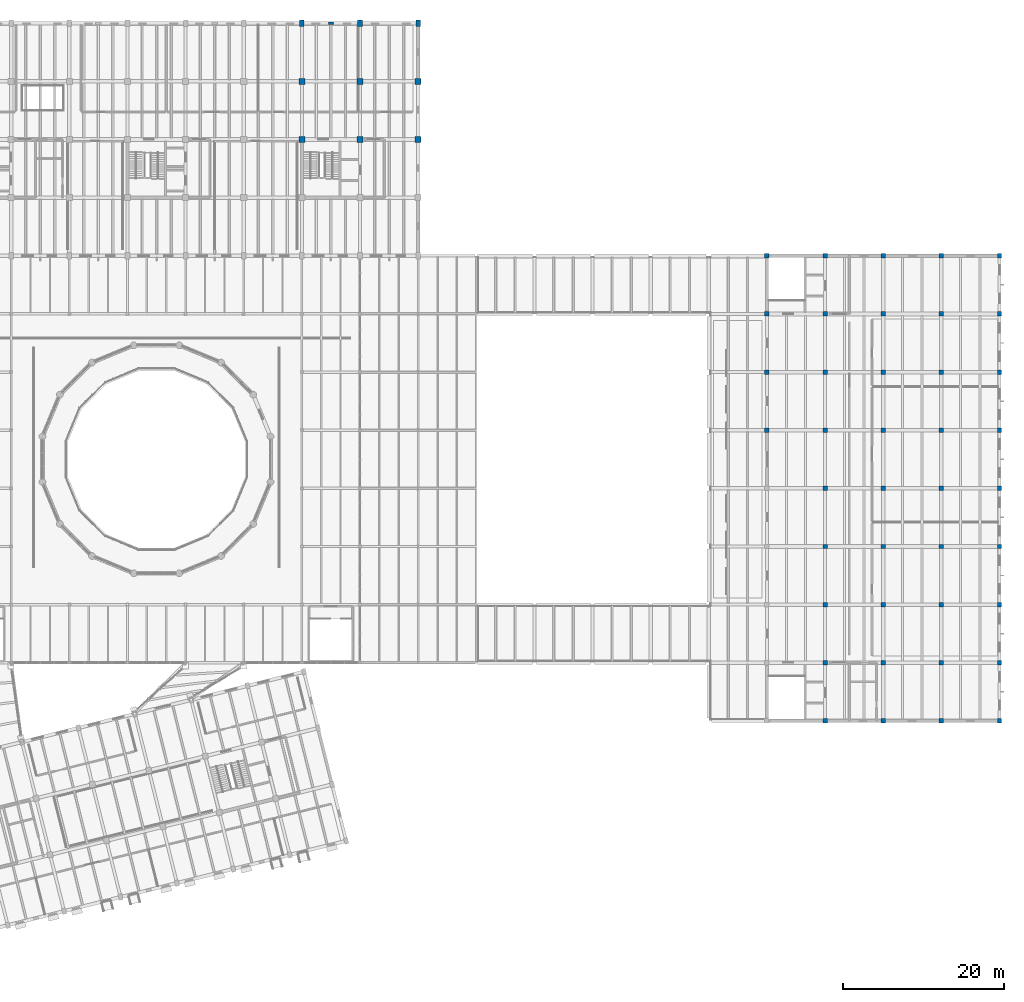
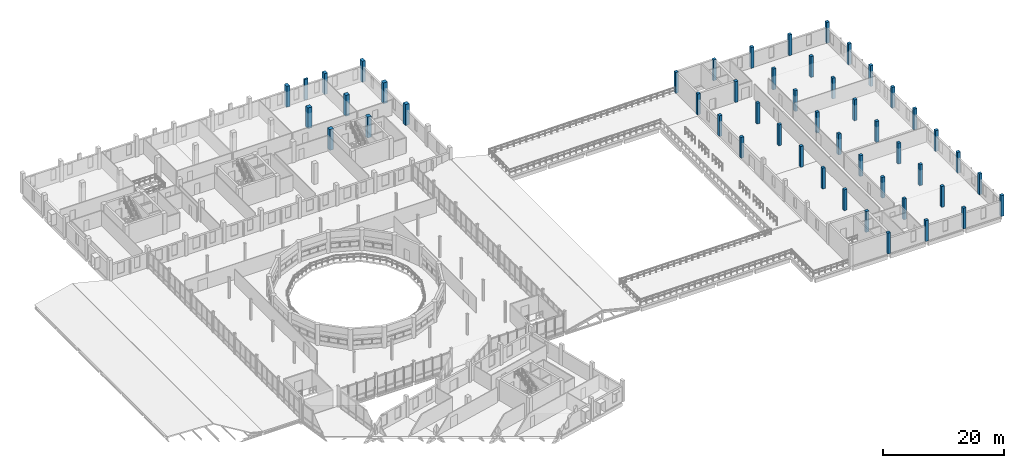
# One storey, part 11 of 63: 50 columns.
"""IFC4 building model written with IfcOpenShell, lengths in metres."""

from ifc_helpers import new_model, si_unit, direction, frame, origin, origin_2d, place, context, subcontext, project, spatial, rectangle, extrude, material, material_profile, profile_set, type_object, element, save


model = new_model("IFC4")

# Units and contexts
model_context = context("Model", 3, precision=1e-05, world=origin(), true_north=direction((0.0, 1.0)))
body_context = subcontext(model_context, "Body", "Model", "MODEL_VIEW")
ifc_project = project(units=[si_unit("LENGTHUNIT", "METRE"), si_unit("AREAUNIT", "SQUARE_METRE"), si_unit("VOLUMEUNIT", "CUBIC_METRE"), si_unit("PLANEANGLEUNIT", "RADIAN"), si_unit("MASSUNIT", "GRAM", prefix="KILO")], contexts=[model_context])

# Site, building, storey
site_placement = place(None, origin())
site = spatial("IfcSite", under=ifc_project, at=site_placement, CompositionType="ELEMENT")
building_placement = place(site_placement, origin())
building = spatial("IfcBuilding", under=site, at=building_placement, Name="Qiaolan Assembly House", CompositionType="ELEMENT")
storey_placement = place(building_placement, frame((0.0, 0.0, 14.39990234375)))
storey = spatial("IfcBuildingStorey", under=building, at=storey_placement, Name="L03", CompositionType="ELEMENT", Elevation=14.39990234375)

# Columns
ifc_material_1 = material(Name="Concrete C40/50", Category="concrete")
ifc_material_profile_1 = material_profile(ifc_material_1, rectangle(XDim=0.550048828125, YDim=0.550048828125, at=origin_2d()), Name="RC 550x550")
ifc_profile_set_1 = profile_set([ifc_material_profile_1], Name="Concrete C40/50")
column_type_1 = type_object("IfcColumnType", Name="COL-RC-550", PredefinedType="COLUMN", material=ifc_profile_set_1)
for number, where, z_axis, x_axis, name in (
    (1, (144.0, 64.800048828125, 0.0), (0.0, 0.0, 1.0), (1.0, 0.0, 0.0), "RC-10 library column L03"),
    (2, (144.0, 72.0, 0.0), (0.0, 0.0, 1.0), (1.0, 0.0, 0.0), "RC-10 library column L03"),
    (3, (144.0, 79.199951171875, 0.0), (0.0, 0.0, 1.0), (1.0, 0.0, 0.0), "RC-10 library column L03"),
    (4, (144.0, 86.39990234375, 0.0), (0.0, 0.0, 1.0), (1.0, 0.0, 0.0), "RC-10 library column L03"),
    (5, (151.199951171875, 28.800048828125, 0.0), (0.0, 0.0, 1.0), (1.0, 0.0, 0.0), "RC-10 library column L03"),
    (6, (151.199951171875, 36.0, 0.0), (0.0, 0.0, 1.0), (1.0, 0.0, 0.0), "RC-10 library column L03"),
    (7, (151.199951171875, 43.199951171875, 0.0), (0.0, 0.0, 1.0), (1.0, 0.0, 0.0), "RC-10 library column L03"),
    (8, (151.199951171875, 50.39990234375, 0.0), (0.0, 0.0, 1.0), (1.0, 0.0, 0.0), "RC-10 library column L03"),
    (9, (151.199951171875, 57.60009765625, 0.0), (0.0, 0.0, 1.0), (1.0, 0.0, 0.0), "RC-10 library column L03"),
    (10, (151.199951171875, 64.800048828125, 0.0), (0.0, 0.0, 1.0), (1.0, 0.0, 0.0), "RC-10 library column L03"),
    (11, (151.199951171875, 72.0, 0.0), (0.0, 0.0, 1.0), (1.0, 0.0, 0.0), "RC-10 library column L03"),
    (12, (151.199951171875, 79.199951171875, 0.0), (0.0, 0.0, 1.0), (1.0, 0.0, 0.0), "RC-10 library column L03"),
    (13, (151.199951171875, 86.39990234375, 0.0), (0.0, 0.0, 1.0), (1.0, 0.0, 0.0), "RC-10 library column L03"),
    (14, (158.39990234375, 28.800048828125, 0.0), (0.0, 0.0, 1.0), (1.0, 0.0, 0.0), "RC-10 library column L03"),
    (15, (158.39990234375, 36.0, 0.0), (0.0, 0.0, 1.0), (1.0, 0.0, 0.0), "RC-10 library column L03"),
    (16, (158.39990234375, 43.199951171875, 0.0), (0.0, 0.0, 1.0), (1.0, 0.0, 0.0), "RC-10 library column L03"),
    (17, (158.39990234375, 50.39990234375, 0.0), (0.0, 0.0, 1.0), (1.0, 0.0, 0.0), "RC-10 library column L03"),
    (18, (158.39990234375, 57.60009765625, 0.0), (0.0, 0.0, 1.0), (1.0, 0.0, 0.0), "RC-10 library column L03"),
    (19, (158.39990234375, 64.800048828125, 0.0), (0.0, 0.0, 1.0), (1.0, 0.0, 0.0), "RC-10 library column L03"),
    (20, (158.39990234375, 72.0, 0.0), (0.0, 0.0, 1.0), (1.0, 0.0, 0.0), "RC-10 library column L03"),
    (21, (158.39990234375, 79.199951171875, 0.0), (0.0, 0.0, 1.0), (1.0, 0.0, 0.0), "RC-10 library column L03"),
    (22, (158.39990234375, 86.39990234375, 0.0), (0.0, 0.0, 1.0), (1.0, 0.0, 0.0), "RC-10 library column L03"),
    (23, (165.60009765625, 28.800048828125, 0.0), (0.0, 0.0, 1.0), (1.0, 0.0, 0.0), "RC-10 library column L03"),
    (24, (165.60009765625, 36.0, 0.0), (0.0, 0.0, 1.0), (1.0, 0.0, 0.0), "RC-10 library column L03"),
    (25, (165.60009765625, 43.199951171875, 0.0), (0.0, 0.0, 1.0), (1.0, 0.0, 0.0), "RC-10 library column L03"),
    (26, (165.60009765625, 50.39990234375, 0.0), (0.0, 0.0, 1.0), (1.0, 0.0, 0.0), "RC-10 library column L03"),
    (27, (165.60009765625, 57.60009765625, 0.0), (0.0, 0.0, 1.0), (1.0, 0.0, 0.0), "RC-10 library column L03"),
    (28, (165.60009765625, 64.800048828125, 0.0), (0.0, 0.0, 1.0), (1.0, 0.0, 0.0), "RC-10 library column L03"),
    (29, (165.60009765625, 72.0, 0.0), (0.0, 0.0, 1.0), (1.0, 0.0, 0.0), "RC-10 library column L03"),
    (30, (165.60009765625, 79.199951171875, 0.0), (0.0, 0.0, 1.0), (1.0, 0.0, 0.0), "RC-10 library column L03"),
    (31, (165.60009765625, 86.39990234375, 0.0), (0.0, 0.0, 1.0), (1.0, 0.0, 0.0), "RC-10 library column L03"),
    (32, (172.800048828125, 28.800048828125, 0.0), (0.0, 0.0, 1.0), (1.0, 0.0, 0.0), "RC-10 library column L03"),
    (33, (172.800048828125, 36.0, 0.0), (0.0, 0.0, 1.0), (1.0, 0.0, 0.0), "RC-10 library column L03"),
    (34, (172.800048828125, 43.199951171875, 0.0), (0.0, 0.0, 1.0), (1.0, 0.0, 0.0), "RC-10 library column L03"),
    (35, (172.800048828125, 50.39990234375, 0.0), (0.0, 0.0, 1.0), (1.0, 0.0, 0.0), "RC-10 library column L03"),
    (36, (172.800048828125, 57.60009765625, 0.0), (0.0, 0.0, 1.0), (1.0, 0.0, 0.0), "RC-10 library column L03"),
    (37, (172.800048828125, 64.800048828125, 0.0), (0.0, 0.0, 1.0), (1.0, 0.0, 0.0), "RC-10 library column L03"),
    (38, (172.800048828125, 72.0, 0.0), (0.0, 0.0, 1.0), (1.0, 0.0, 0.0), "RC-10 library column L03"),
    (39, (172.800048828125, 79.199951171875, 0.0), (0.0, 0.0, 1.0), (1.0, 0.0, 0.0), "RC-10 library column L03"),
    (40, (172.800048828125, 86.39990234375, 0.0), (0.0, 0.0, 1.0), (1.0, 0.0, 0.0), "RC-10 library column L03"),
):
    element("IfcColumn", number, at=place(storey_placement, frame(where, z_axis=z_axis, x_axis=x_axis)), inside=storey, type_object=column_type_1, Name=name, PredefinedType="COLUMN", context=body_context, shape_type="SweptSolid", body=[
        extrude(rectangle(XDim=0.550048828125, YDim=0.550048828125, at=origin_2d()), origin(), (0.0, 0.0, 1.0), 4.2001953125),
    ])
ifc_material_2 = material(Name="Concrete C45/55", Category="concrete")
ifc_material_profile_2 = material_profile(ifc_material_2, rectangle(XDim=0.75, YDim=0.75, at=origin_2d()), Name="RC 750x750")
ifc_profile_set_2 = profile_set([ifc_material_profile_2], Name="Concrete C45/55")
column_type_2 = type_object("IfcColumnType", Name="COL-RC-750", PredefinedType="COLUMN", material=ifc_profile_set_2)
for number, where, z_axis, x_axis, name in (
    (41, (86.39990234375, 100.800048828125, 0.0), (0.0, 0.0, 1.0), (1.0, 0.0, 0.0), "RC-06 column NW L03"),
    (42, (86.39990234375, 108.0, 0.0), (0.0, 0.0, 1.0), (1.0, 0.0, 0.0), "RC-06 column NW L03"),
    (43, (93.60009765625, 100.800048828125, 0.0), (0.0, 0.0, 1.0), (1.0, 0.0, 0.0), "RC-06 column NW L03"),
    (44, (93.60009765625, 108.0, 0.0), (0.0, 0.0, 1.0), (1.0, 0.0, 0.0), "RC-06 column NW L03"),
    (45, (100.800048828125, 100.800048828125, 0.0), (0.0, 0.0, 1.0), (1.0, 0.0, 0.0), "RC-06 column NW L03"),
    (46, (100.800048828125, 108.0, 0.0), (0.0, 0.0, 1.0), (1.0, 0.0, 0.0), "RC-06 column NW L03"),
):
    element("IfcColumn", number, at=place(storey_placement, frame(where, z_axis=z_axis, x_axis=x_axis)), inside=storey, type_object=column_type_2, Name=name, PredefinedType="COLUMN", context=body_context, shape_type="SweptSolid", body=[
        extrude(rectangle(XDim=0.75, YDim=0.75, at=origin_2d()), origin(), (0.0, 0.0, 1.0), 4.2001953125),
    ])
ifc_material_profile_3 = material_profile(ifc_material_2, rectangle(XDim=0.580078125, YDim=0.81005859375, at=origin_2d()), Name="RC 810x580")
ifc_profile_set_3 = profile_set([ifc_material_profile_3], Name="Concrete C45/55")
column_type_3 = type_object("IfcColumnType", Name="COL-RC-810x580", PredefinedType="COLUMN", material=ifc_profile_set_3)
for number, where, z_axis, x_axis, name in (
    (47, (86.39990234375, 115.199951171875, 0.0), (0.0, 0.0, 1.0), (1.0, 0.0, 0.0), "RC-18 column NW L03"),
    (48, (93.60009765625, 115.199951171875, 0.0), (0.0, 0.0, 1.0), (1.0, 0.0, 0.0), "RC-18 column NW L03"),
    (49, (100.800048828125, 115.199951171875, 0.0), (0.0, 0.0, 1.0), (1.0, 0.0, 0.0), "RC-18 column NW L03"),
):
    element("IfcColumn", number, at=place(storey_placement, frame(where, z_axis=z_axis, x_axis=x_axis)), inside=storey, type_object=column_type_3, Name=name, PredefinedType="COLUMN", context=body_context, shape_type="SweptSolid", body=[
        extrude(rectangle(XDim=0.580078125, YDim=0.81005859375, at=origin_2d()), origin(), (0.0, 0.0, 1.0), 4.2001953125),
    ])
ifc_material_3 = material(Name="Precast concrete C45/55", Category="concrete")
ifc_material_profile_4 = material_profile(ifc_material_3, rectangle(XDim=0.659912109375, YDim=0.35009765625, at=origin_2d()), Name="PIL 660x350")
ifc_profile_set_4 = profile_set([ifc_material_profile_4], Name="Precast concrete C45/55")
column_type_4 = type_object("IfcColumnType", Name="PIL-NW-660x350", PredefinedType="PILASTER", material=ifc_profile_set_4)
column_placement = place(storey_placement, frame((90.0, 115.199951171875, 0.0), z_axis=(0.0, 0.0, 1.0), x_axis=(1.0, 0.0, 0.0)))
element("IfcColumn", 50, at=column_placement, inside=storey, type_object=column_type_4, Name="PL-07 neoclassical pilaster NW L03", PredefinedType="PILASTER", context=body_context, shape_type="SweptSolid", body=[
    extrude(rectangle(XDim=0.659912109375, YDim=0.35009765625, at=origin_2d()), origin(), (0.0, 0.0, 1.0), 4.2001953125),
])

save(model, "model.ifc")
